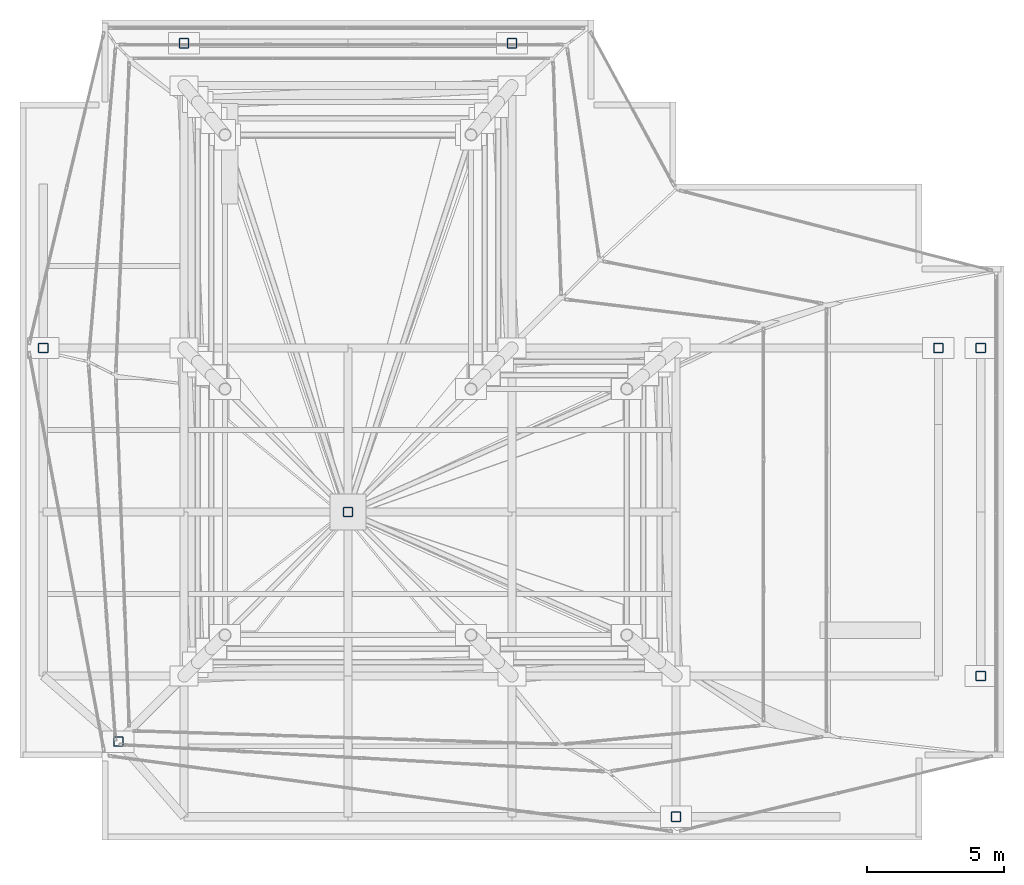
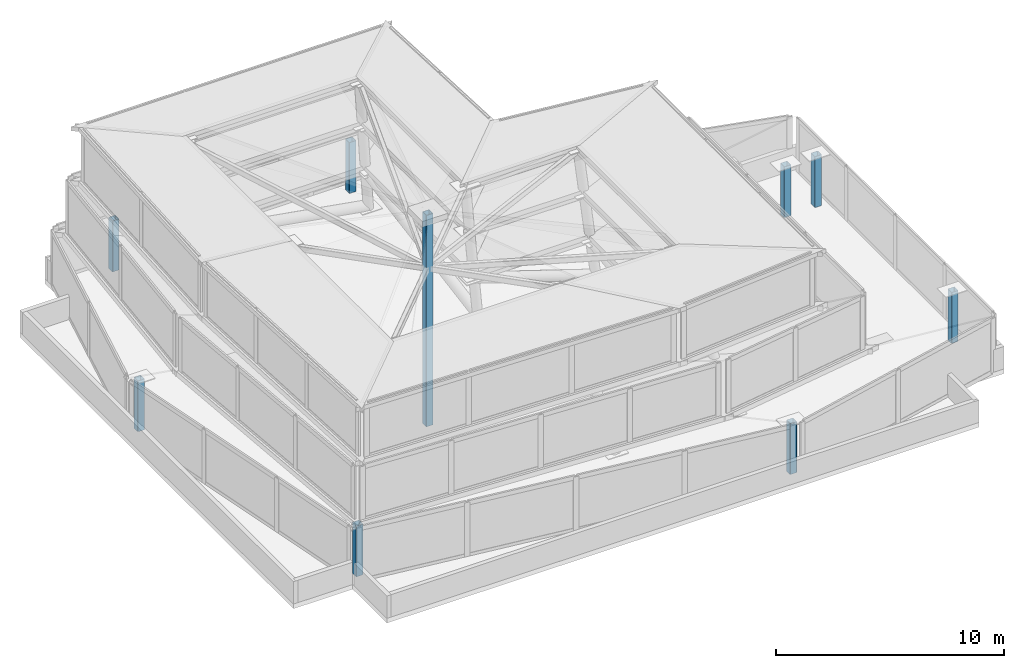
# One storey, part 1 of 15: 9 columns.
"""IFC4 building model written with IfcOpenShell, lengths in metres."""

from ifc_helpers import new_model, si_unit, direction, frame, origin, origin_2d, place, context, subcontext, project, spatial, hollow_rectangle, extrude, material, material_profile, profile_set, type_object, element, save


model = new_model("IFC4")

# Units and contexts
model_context = context("Model", 3, precision=1e-05, world=origin(), true_north=direction((0.0, 1.0)))
body_context = subcontext(model_context, "Body", "Model", "MODEL_VIEW")
ifc_project = project(units=[si_unit("LENGTHUNIT", "METRE"), si_unit("AREAUNIT", "SQUARE_METRE"), si_unit("VOLUMEUNIT", "CUBIC_METRE"), si_unit("PLANEANGLEUNIT", "RADIAN"), si_unit("MASSUNIT", "GRAM", prefix="KILO"), si_unit("THERMODYNAMICTEMPERATUREUNIT", "KELVIN"), si_unit("POWERUNIT", "WATT")], contexts=[model_context])

# Site, building, storey
site_placement = place(None, origin())
site = spatial("IfcSite", under=ifc_project, at=site_placement, CompositionType="ELEMENT")
building_placement = place(site_placement, origin())
building = spatial("IfcBuilding", under=site, at=building_placement, Name="Svarakhadi Broadcast Tower", CompositionType="ELEMENT")
storey_placement = place(building_placement, frame((0.0, 0.0, 310.5)))
storey = spatial("IfcBuildingStorey", under=building, at=storey_placement, Name="RF", CompositionType="ELEMENT", Elevation=310.5)

# Columns
ifc_material = material(Name="Steel S460ML (IS 2062 E450BR)", Category="steel")
ifc_material_profile = material_profile(ifc_material, hollow_rectangle(XDim=0.35009765625, YDim=0.35009765625, WallThickness=0.01611328125, InnerFilletRadius=0.01611328125, OuterFilletRadius=0.031982421875, at=origin_2d()), Name="SHS 350x350x16")
ifc_profile_set = profile_set([ifc_material_profile], Name="Steel S460ML (IS 2062 E450BR)")
column_type = type_object("IfcColumnType", Name="Col_SHS350", PredefinedType="COLUMN", material=ifc_profile_set)
column_placement = place(storey_placement, frame((12.0, 12.0, 0.0), z_axis=(0.0, 0.0, 1.0), x_axis=(1.0, 0.0, 0.0)))
element("IfcColumn", 1, at=column_placement, inside=storey, type_object=column_type, Name="Crown Central Structural Mast Column", PredefinedType="COLUMN", context=body_context, shape_type="SweptSolid", body=[
    extrude(hollow_rectangle(XDim=0.35009765625, YDim=0.35009765625, WallThickness=0.01611328125, InnerFilletRadius=0.01611328125, OuterFilletRadius=0.031982421875, at=origin_2d()), origin(), (0.0, 0.0, 1.0), 11.320068359375),
])
for number, where, z_axis, x_axis, name in (
    (2, (3.60009765625, 3.60009765625, 0.0), (0.0, 0.0, 1.0), (1.0, 0.0, 0.0), "Crown Perimeter Support Post 01"),
    (3, (24.0, 0.85009765625, 0.0), (0.0, 0.0, 1.0), (1.0, 0.0, 0.0), "Crown Perimeter Support Post 02"),
    (4, (35.14990234375, 6.0, 0.0), (0.0, 0.0, 1.0), (1.0, 0.0, 0.0), "Crown Perimeter Support Post 03"),
    (5, (35.14990234375, 18.0, 0.0), (0.0, 0.0, 1.0), (1.0, 0.0, 0.0), "Crown Perimeter Support Post 04"),
    (6, (33.60009765625, 18.0, 0.0), (0.0, 0.0, 1.0), (1.0, 0.0, 0.0), "Crown Perimeter Support Post 05"),
    (7, (18.0, 29.14990234375, 0.0), (0.0, 0.0, 1.0), (1.0, 0.0, 0.0), "Crown Perimeter Support Post 06"),
    (8, (6.0, 29.14990234375, 0.0), (0.0, 0.0, 1.0), (1.0, 0.0, 0.0), "Crown Perimeter Support Post 07"),
    (9, (0.85009765625, 18.0, 0.0), (0.0, 0.0, 1.0), (1.0, 0.0, 0.0), "Crown Perimeter Support Post 08"),
):
    element("IfcColumn", number, at=place(storey_placement, frame(where, z_axis=z_axis, x_axis=x_axis)), inside=storey, type_object=column_type, Name=name, PredefinedType="COLUMN", context=body_context, shape_type="SweptSolid", body=[
        extrude(hollow_rectangle(XDim=0.35009765625, YDim=0.35009765625, WallThickness=0.01611328125, InnerFilletRadius=0.01611328125, OuterFilletRadius=0.031982421875, at=origin_2d()), origin(), (0.0, 0.0, 1.0), 2.719970703125),
    ])

save(model, "model.ifc")
